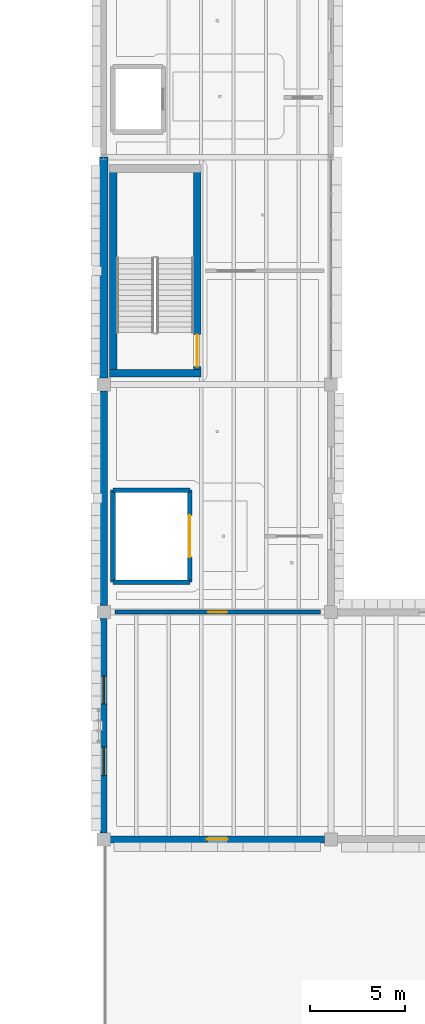
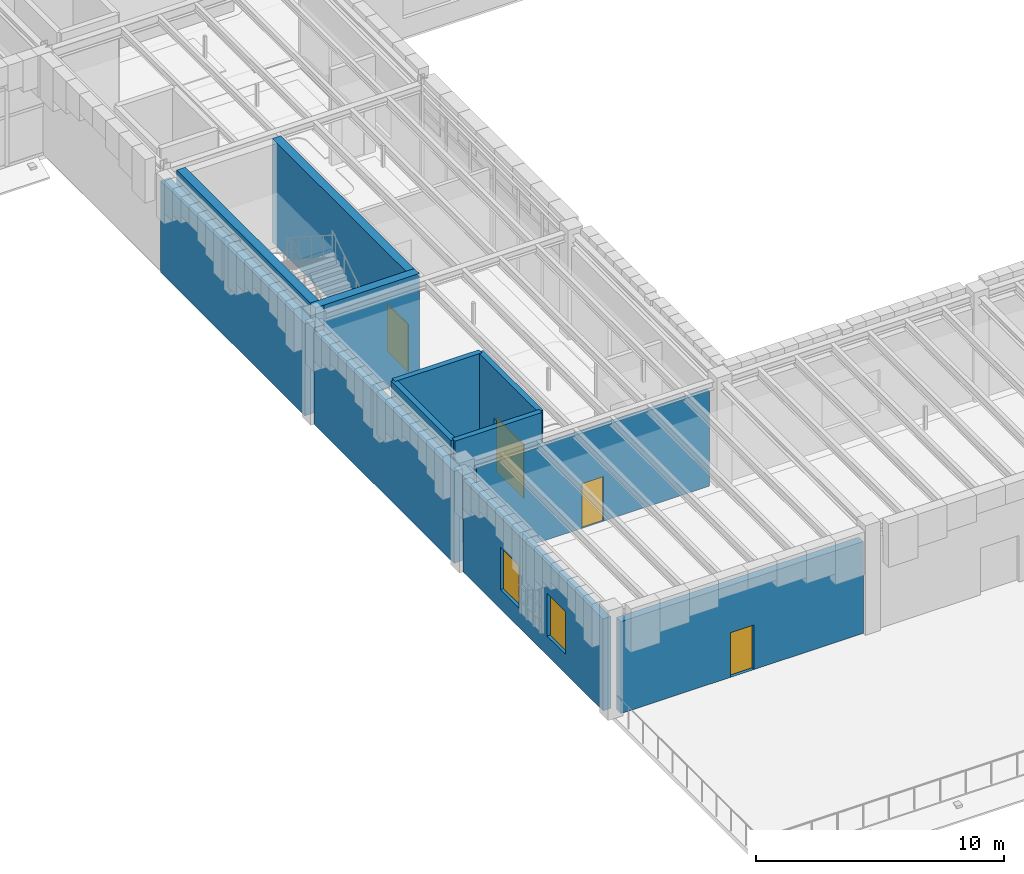
# One storey, part 57 of 100: 12 walls, 4 doors, 2 windows, 6 openings.
"""IFC4 building model written with IfcOpenShell, lengths in metres."""

from ifc_helpers import new_model, si_unit, direction, frame, frame_2d, origin, place, context, subcontext, project, spatial, rectangle, extrude, material, layer, layer_set, type_object, element, fill, save


model = new_model("IFC4")

# Units and contexts
model_context = context("Model", 3, precision=1e-05, world=origin(), true_north=direction((0.0, 1.0)))
body_context = subcontext(model_context, "Body", "Model", "MODEL_VIEW")
ifc_project = project(units=[si_unit("LENGTHUNIT", "METRE"), si_unit("AREAUNIT", "SQUARE_METRE"), si_unit("VOLUMEUNIT", "CUBIC_METRE"), si_unit("PLANEANGLEUNIT", "RADIAN"), si_unit("MASSUNIT", "GRAM", prefix="KILO")], contexts=[model_context])

# Site, building, storey
site_placement = place(None, origin())
site = spatial("IfcSite", under=ifc_project, at=site_placement, CompositionType="ELEMENT")
building_placement = place(site_placement, origin())
building = spatial("IfcBuilding", under=site, at=building_placement, Name="Zlatogorsky Bluff Art Gallery", CompositionType="ELEMENT")
storey_placement = place(building_placement, frame((0.0, 0.0, 5.39990234375)))
storey = spatial("IfcBuildingStorey", under=building, at=storey_placement, Name="L01", CompositionType="ELEMENT", Elevation=5.39990234375)

# Wall, opening, door
ifc_material_1 = material(Name="Precast concrete C40/50", Category="concrete")
ifc_layer_1 = layer(ifc_material_1, 0.360107421875)
ifc_layer_set_1 = layer_set([ifc_layer_1], Name="Exterior Wall EW-01 360mm")
wall_type_1 = type_object("IfcWallType", Name="Exterior Wall EW-01 360mm", PredefinedType="SOLIDWALL", material=ifc_layer_set_1)
wall_1_placement = place(storey_placement, frame((120.344970703125, 38.39990234375, 0.0), z_axis=(0.0, 0.0, 1.0), x_axis=(1.0, 0.0, 0.0)))
wall_1 = element("IfcWall", 1, at=wall_1_placement, inside=storey, type_object=wall_type_1, Name="Exterior wall EW-01 L01 S 10.4", PredefinedType="SOLIDWALL", context=body_context, shape_type="SweptSolid", body=[
    extrude(rectangle(XDim=11.31005859375, YDim=0.360107421875, at=frame_2d((5.655029296875, 0.0))), origin(), (0.0, 0.0, 1.0), 4.530029296875),
])
opening_1_placement = place(wall_1_placement, frame((5.10498046875, 0.0, 0.0)))
opening_1 = element("IfcOpeningElement", 2, at=opening_1_placement, cuts=wall_1, Name="Opening TD-03", PredefinedType="OPENING", context=body_context, shape_type="SweptSolid", body=[
    extrude(rectangle(XDim=1.10009765625, YDim=2.199951171875, at=frame_2d((0.550048828125, 1.10009765625))), frame((0.0, 0.18994140625, 0.0), z_axis=(0.0, -1.0, 0.0), x_axis=(1.0, 0.0, 0.0)), (0.0, 0.0, 1.0), 0.380126953125),
])
ifc_material_2 = material(Name="Bronze-Clad Thermally Broken Steel and Laminated Glass", Category="steel")
door_type_1 = type_object("IfcDoorType", Name="Exterior Door TD-03 1100x2200", OperationType="SINGLE_SWING_LEFT", PredefinedType="DOOR", material=ifc_material_2)
door_1_placement = place(opening_1_placement, origin())
door_1 = element("IfcDoor", 3, at=door_1_placement, inside=storey, type_object=door_type_1, Name="Terrace access door TD-03 L01.S.10.4", OperationType="SINGLE_SWING_LEFT", OverallHeight=2.199951171875, OverallWidth=1.10009765625, PredefinedType="DOOR", context=body_context, shape_type="SweptSolid", body=[
    extrude(rectangle(XDim=1.10009765625, YDim=2.199951171875, at=frame_2d((0.550048828125, 1.10009765625))), frame((0.0, 0.02490234375, 0.0), z_axis=(0.0, -1.0, 0.0), x_axis=(1.0, 0.0, 0.0)), (0.0, 0.0, 1.0), 0.050048828125),
])
fill(opening_1, door_1)

# Wall, openings, windows
wall_2_placement = place(storey_placement, frame((120.0, 50.054931640625, 0.0), z_axis=(0.0, 0.0, 1.0), x_axis=(0.0, -1.0, 0.0)))
wall_2 = element("IfcWall", 4, at=wall_2_placement, inside=storey, type_object=wall_type_1, Name="Exterior wall EW-01 L01 W 10.4", PredefinedType="SOLIDWALL", context=body_context, shape_type="SweptSolid", body=[
    extrude(rectangle(XDim=11.309814453125, YDim=0.360107421875, at=frame_2d((5.65478515625, 0.0))), origin(), (0.0, 0.0, 1.0), 4.530029296875),
])
opening_2_placement = place(wall_2_placement, frame((3.02001953125, 0.0, 0.949951171875)))
opening_2 = element("IfcOpeningElement", 5, at=opening_2_placement, cuts=wall_2, Name="Opening WN-29", PredefinedType="OPENING", context=body_context, shape_type="SweptSolid", body=[
    extrude(rectangle(XDim=1.5, YDim=2.10009765625, at=frame_2d((0.75, 1.050048828125))), frame((0.0, 0.18994140625, 0.0), z_axis=(0.0, -1.0, 0.0), x_axis=(1.0, 0.0, 0.0)), (0.0, 0.0, 1.0), 0.380126953125),
])
opening_3_placement = place(wall_2_placement, frame((6.7900390625, 0.0, 0.949951171875)))
opening_3 = element("IfcOpeningElement", 6, at=opening_3_placement, cuts=wall_2, Name="Opening WN-29", PredefinedType="OPENING", context=body_context, shape_type="SweptSolid", body=[
    extrude(rectangle(XDim=1.5, YDim=2.10009765625, at=frame_2d((0.75, 1.050048828125))), frame((0.0, 0.18994140625, 0.0), z_axis=(0.0, -1.0, 0.0), x_axis=(1.0, 0.0, 0.0)), (0.0, 0.0, 1.0), 0.380126953125),
])
ifc_material_3 = material(Name="Bronze-Anodised Aluminium Triple Glazing", Category="aluminium")
window_type = type_object("IfcWindowType", Name="Pointed-Reveal Window WN-29 1500x2100", PartitioningType="SINGLE_PANEL", PredefinedType="WINDOW", material=ifc_material_3)
window_1_placement = place(opening_2_placement, origin())
window_1 = element("IfcWindow", 7, at=window_1_placement, inside=storey, type_object=window_type, Name="Window WN-29 L01.W.10.4.1", OverallHeight=2.10009765625, OverallWidth=1.5, PartitioningType="SINGLE_PANEL", PredefinedType="WINDOW", context=body_context, shape_type="SweptSolid", body=[
    extrude(rectangle(XDim=1.5, YDim=2.10009765625, at=frame_2d((0.75, 1.050048828125))), frame((0.0, 0.030029296875, 0.0), z_axis=(0.0, -1.0, 0.0), x_axis=(1.0, 0.0, 0.0)), (0.0, 0.0, 1.0), 0.06005859375),
])
fill(opening_2, window_1)
window_2_placement = place(opening_3_placement, origin())
window_2 = element("IfcWindow", 8, at=window_2_placement, inside=storey, type_object=window_type, Name="Window WN-29 L01.W.10.4.2", OverallHeight=2.10009765625, OverallWidth=1.5, PartitioningType="SINGLE_PANEL", PredefinedType="WINDOW", context=body_context, shape_type="SweptSolid", body=[
    extrude(rectangle(XDim=1.5, YDim=2.10009765625, at=frame_2d((0.75, 1.050048828125))), frame((0.0, 0.030029296875, 0.0), z_axis=(0.0, -1.0, 0.0), x_axis=(1.0, 0.0, 0.0)), (0.0, 0.0, 1.0), 0.06005859375),
])
fill(opening_3, window_2)

# Walls
ifc_layer_2 = layer(ifc_material_1, 0.39990234375)
ifc_layer_set_2 = layer_set([ifc_layer_2], Name="Exterior Wall EW-02 400mm")
wall_type_2 = type_object("IfcWallType", Name="Exterior Wall EW-02 400mm", PredefinedType="SOLIDWALL", material=ifc_layer_set_2)
wall_3_placement = place(storey_placement, frame((120.0, 62.054931640625, 0.0), z_axis=(0.0, 0.0, 1.0), x_axis=(0.0, -1.0, 0.0)))
element("IfcWall", 9, at=wall_3_placement, inside=storey, type_object=wall_type_2, Name="Exterior wall EW-02 L01 W 10.5", PredefinedType="SOLIDWALL", context=body_context, shape_type="SweptSolid", body=[
    extrude(rectangle(XDim=11.309814453125, YDim=0.39990234375, at=frame_2d((5.65478515625, 0.0))), origin(), (0.0, 0.0, 1.0), 4.530029296875),
])
ifc_layer_3 = layer(ifc_material_1, 0.43994140625)
ifc_layer_set_3 = layer_set([ifc_layer_3], Name="Exterior Wall EW-03 440mm")
wall_type_3 = type_object("IfcWallType", Name="Exterior Wall EW-03 440mm", PredefinedType="SOLIDWALL", material=ifc_layer_set_3)
wall_4_placement = place(storey_placement, frame((120.0, 74.39990234375, 0.0), z_axis=(0.0, 0.0, 1.0), x_axis=(0.0, -1.0, 0.0)))
element("IfcWall", 10, at=wall_4_placement, inside=storey, type_object=wall_type_3, Name="Exterior wall EW-03 L01 W 10.6", PredefinedType="SOLIDWALL", context=body_context, shape_type="SweptSolid", body=[
    extrude(rectangle(XDim=11.65478515625, YDim=0.43994140625, at=frame_2d((5.827392578125, 0.0))), origin(), (0.0, 0.0, 1.0), 4.530029296875),
])

# Wall, opening, door
ifc_material_4 = material(Name="Concrete C30/37", Category="concrete")
ifc_layer_4 = layer(ifc_material_4, 0.199951171875)
ifc_layer_set_4 = layer_set([ifc_layer_4], Name="Interior Wall IW-03 200mm")
wall_type_4 = type_object("IfcWallType", Name="Interior Wall IW-03 200mm", PredefinedType="PARTITIONING", material=ifc_layer_set_4)
wall_5_placement = place(storey_placement, frame((120.594482421875, 50.39990234375, 0.0), z_axis=(0.0, 0.0, 1.0), x_axis=(1.0, 0.0, 0.0)))
wall_5 = element("IfcWall", 11, at=wall_5_placement, inside=storey, type_object=wall_type_4, Name="Partition IW-03 between L01-C1-11 and L01-L1-11", PredefinedType="PARTITIONING", context=body_context, shape_type="SweptSolid", body=[
    extrude(rectangle(XDim=10.84814453125, YDim=0.199951171875, at=frame_2d((5.424072265625, 0.0))), origin(), (0.0, 0.0, 1.0), 4.7001953125),
])
opening_4_placement = place(wall_5_placement, frame((4.924072265625, 0.0, 0.0)))
opening_4 = element("IfcOpeningElement", 12, at=opening_4_placement, cuts=wall_5, Name="Opening ID-03", PredefinedType="OPENING", context=body_context, shape_type="SweptSolid", body=[
    extrude(rectangle(XDim=1.0, YDim=2.199951171875, at=frame_2d((0.5, 1.10009765625))), frame((0.0, 0.10986328125, 0.0), z_axis=(0.0, -1.0, 0.0), x_axis=(1.0, 0.0, 0.0)), (0.0, 0.0, 1.0), 0.219970703125),
])
ifc_material_5 = material(Name="Anodised Aluminium and Laminated Timber", Category="wood")
door_type_2 = type_object("IfcDoorType", Name="Interior Door ID-03 1000x2200", OperationType="SINGLE_SWING_LEFT", PredefinedType="DOOR", material=ifc_material_5)
door_2_placement = place(opening_4_placement, origin())
door_2 = element("IfcDoor", 13, at=door_2_placement, inside=storey, type_object=door_type_2, Name="Door ID-03 L01-C1-11-L01-L1-11", OperationType="SINGLE_SWING_RIGHT", OverallHeight=2.199951171875, OverallWidth=1.0, PredefinedType="DOOR", context=body_context, shape_type="SweptSolid", body=[
    extrude(rectangle(XDim=1.0, YDim=2.199951171875, at=frame_2d((0.5, 1.10009765625))), frame((0.0, 0.02490234375, 0.0), z_axis=(0.0, -1.0, 0.0), x_axis=(1.0, 0.0, 0.0)), (0.0, 0.0, 1.0), 0.050048828125),
])
fill(opening_4, door_2)

# Wall
ifc_material_6 = material(Name="Concrete C35/45", Category="concrete")
ifc_layer_5 = layer(ifc_material_6, 0.25)
ifc_layer_set_5 = layer_set([ifc_layer_5], Name="Interior Wall IW-05 250mm")
wall_type_5 = type_object("IfcWallType", Name="Interior Wall IW-05 250mm", PredefinedType="SOLIDWALL", material=ifc_layer_set_5)
wall_6_placement = place(storey_placement, frame((120.4951171875, 51.97509765625, 0.0), z_axis=(0.0, 0.0, 1.0), x_axis=(1.0, 0.0, 0.0)))
element("IfcWall", 14, at=wall_6_placement, inside=storey, type_object=wall_type_5, Name="Lift GL-1 shaft wall L01 S", PredefinedType="SOLIDWALL", context=body_context, shape_type="SweptSolid", body=[
    extrude(rectangle(XDim=4.0498046875, YDim=0.25, at=frame_2d((2.02490234375, 0.0))), origin(), (0.0, 0.0, 1.0), 5.110107421875),
])

# Wall, opening, door
wall_7_placement = place(storey_placement, frame((124.544921875, 51.97509765625, 0.0), z_axis=(0.0, 0.0, 1.0), x_axis=(0.0, 1.0, 0.0)))
wall_7 = element("IfcWall", 15, at=wall_7_placement, inside=storey, type_object=wall_type_5, Name="Lift GL-1 shaft wall L01 E", PredefinedType="SOLIDWALL", context=body_context, shape_type="SweptSolid", body=[
    extrude(rectangle(XDim=4.849853515625, YDim=0.25, at=frame_2d((2.4248046875, 0.0))), origin(), (0.0, 0.0, 1.0), 5.110107421875),
])
opening_5_placement = place(wall_7_placement, frame((1.324951171875, 0.0, 0.0)))
opening_5 = element("IfcOpeningElement", 16, at=opening_5_placement, cuts=wall_7, Name="Opening LD-04", PredefinedType="OPENING", context=body_context, shape_type="SweptSolid", body=[
    extrude(rectangle(XDim=2.199951171875, YDim=2.64990234375, at=frame_2d((1.10009765625, 1.324951171875))), frame((0.0, 0.135009765625, 0.0), z_axis=(0.0, -1.0, 0.0), x_axis=(1.0, 0.0, 0.0)), (0.0, 0.0, 1.0), 0.27001953125),
])
door_type_3 = type_object("IfcDoorType", Name="Interior Door LD-04 2200x2650", OperationType="DOUBLE_DOOR_SLIDING", PredefinedType="DOOR", material=ifc_material_5)
door_3_placement = place(opening_5_placement, origin())
door_3 = element("IfcDoor", 17, at=door_3_placement, inside=storey, type_object=door_type_3, Name="Lift GL-1 sliding landing door L01", OperationType="DOUBLE_DOOR_SLIDING", OverallHeight=2.64990234375, OverallWidth=2.199951171875, PredefinedType="DOOR", context=body_context, shape_type="SweptSolid", body=[
    extrude(rectangle(XDim=2.199951171875, YDim=2.64990234375, at=frame_2d((1.10009765625, 1.324951171875))), frame((0.0, 0.02490234375, 0.0), z_axis=(0.0, -1.0, 0.0), x_axis=(1.0, 0.0, 0.0)), (0.0, 0.0, 1.0), 0.050048828125),
])
fill(opening_5, door_3)

# Walls
wall_8_placement = place(storey_placement, frame((124.544921875, 56.824951171875, 0.0), z_axis=(0.0, 0.0, 1.0), x_axis=(-1.0, 0.0, 0.0)))
element("IfcWall", 18, at=wall_8_placement, inside=storey, type_object=wall_type_5, Name="Lift GL-1 shaft wall L01 N", PredefinedType="SOLIDWALL", context=body_context, shape_type="SweptSolid", body=[
    extrude(rectangle(XDim=4.0498046875, YDim=0.25, at=frame_2d((2.02490234375, 0.0))), origin(), (0.0, 0.0, 1.0), 5.110107421875),
])
wall_9_placement = place(storey_placement, frame((120.4951171875, 56.824951171875, 0.0), z_axis=(0.0, 0.0, 1.0), x_axis=(0.0, -1.0, 0.0)))
element("IfcWall", 19, at=wall_9_placement, inside=storey, type_object=wall_type_5, Name="Lift GL-1 shaft wall L01 W", PredefinedType="SOLIDWALL", context=body_context, shape_type="SweptSolid", body=[
    extrude(rectangle(XDim=4.849853515625, YDim=0.25, at=frame_2d((2.4248046875, 0.0))), origin(), (0.0, 0.0, 1.0), 5.110107421875),
])

# Wall, opening, door
ifc_layer_6 = layer(ifc_material_6, 0.39990234375)
ifc_layer_set_6 = layer_set([ifc_layer_6], Name="Interior Wall SW-03 400mm")
wall_type_6 = type_object("IfcWallType", Name="Interior Wall SW-03 400mm", PredefinedType="SHEAR", material=ifc_layer_set_6)
wall_10_placement = place(storey_placement, frame((124.949951171875, 62.800048828125, 0.0), z_axis=(0.0, 0.0, 1.0), x_axis=(0.0, 1.0, 0.0)))
wall_10 = element("IfcWall", 20, at=wall_10_placement, inside=storey, type_object=wall_type_6, Name="Stair ST-06 enclosure wall L01 W0", PredefinedType="SHEAR", context=body_context, shape_type="SweptSolid", body=[
    extrude(rectangle(XDim=11.199951171875, YDim=0.39990234375, at=frame_2d((5.60009765625, 0.0))), origin(), (0.0, 0.0, 1.0), 5.110107421875),
])
opening_6_placement = place(wall_10_placement, frame((0.550048828125, 0.0, 0.0)))
opening_6 = element("IfcOpeningElement", 21, at=opening_6_placement, cuts=wall_10, Name="Opening FD-04", PredefinedType="OPENING", context=body_context, shape_type="SweptSolid", body=[
    extrude(rectangle(XDim=1.679931640625, YDim=2.35009765625, at=frame_2d((0.83984375, 1.175048828125))), frame((0.0, 0.2099609375, 0.0), z_axis=(0.0, -1.0, 0.0), x_axis=(1.0, 0.0, 0.0)), (0.0, 0.0, 1.0), 0.419921875),
])
door_type_4 = type_object("IfcDoorType", Name="Interior Door FD-04 1680x2350", OperationType="DOUBLE_DOOR_SINGLE_SWING", PredefinedType="DOOR", material=ifc_material_5)
door_4_placement = place(opening_6_placement, origin())
door_4 = element("IfcDoor", 22, at=door_4_placement, inside=storey, type_object=door_type_4, Name="Stair ST-06 fire door L01", OperationType="DOUBLE_DOOR_SINGLE_SWING", OverallHeight=2.35009765625, OverallWidth=1.679931640625, PredefinedType="DOOR", context=body_context, shape_type="SweptSolid", body=[
    extrude(rectangle(XDim=1.679931640625, YDim=2.35009765625, at=frame_2d((0.83984375, 1.175048828125))), frame((0.0, 0.02490234375, 0.0), z_axis=(0.0, -1.0, 0.0), x_axis=(1.0, 0.0, 0.0)), (0.0, 0.0, 1.0), 0.050048828125),
])
fill(opening_6, door_4)

# Walls
wall_11_placement = place(storey_placement, frame((120.5, 74.0, 0.0), z_axis=(0.0, 0.0, 1.0), x_axis=(0.0, -1.0, 0.0)))
element("IfcWall", 23, at=wall_11_placement, inside=storey, type_object=wall_type_6, Name="Stair ST-06 enclosure wall L01 W1", PredefinedType="SHEAR", context=body_context, shape_type="SweptSolid", body=[
    extrude(rectangle(XDim=11.199951171875, YDim=0.39990234375, at=frame_2d((5.60009765625, 0.0))), origin(), (0.0, 0.0, 1.0), 5.110107421875),
])
wall_12_placement = place(storey_placement, frame((120.300048828125, 63.0, 0.0), z_axis=(0.0, 0.0, 1.0), x_axis=(1.0, 0.0, 0.0)))
element("IfcWall", 24, at=wall_12_placement, inside=storey, type_object=wall_type_6, Name="Stair ST-06 enclosure wall L01 LEND", PredefinedType="SHEAR", context=body_context, shape_type="SweptSolid", body=[
    extrude(rectangle(XDim=4.849853515625, YDim=0.39990234375, at=frame_2d((2.4248046875, 0.0))), origin(), (0.0, 0.0, 1.0), 5.110107421875),
])

save(model, "model.ifc")
